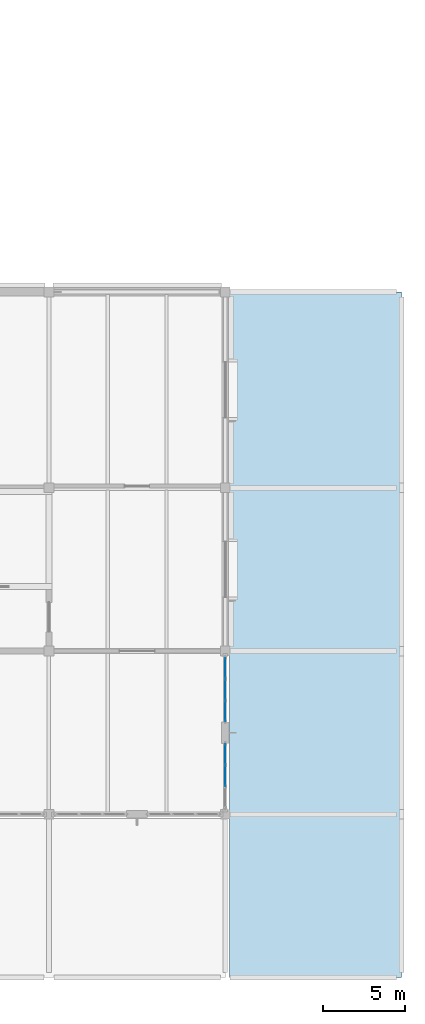
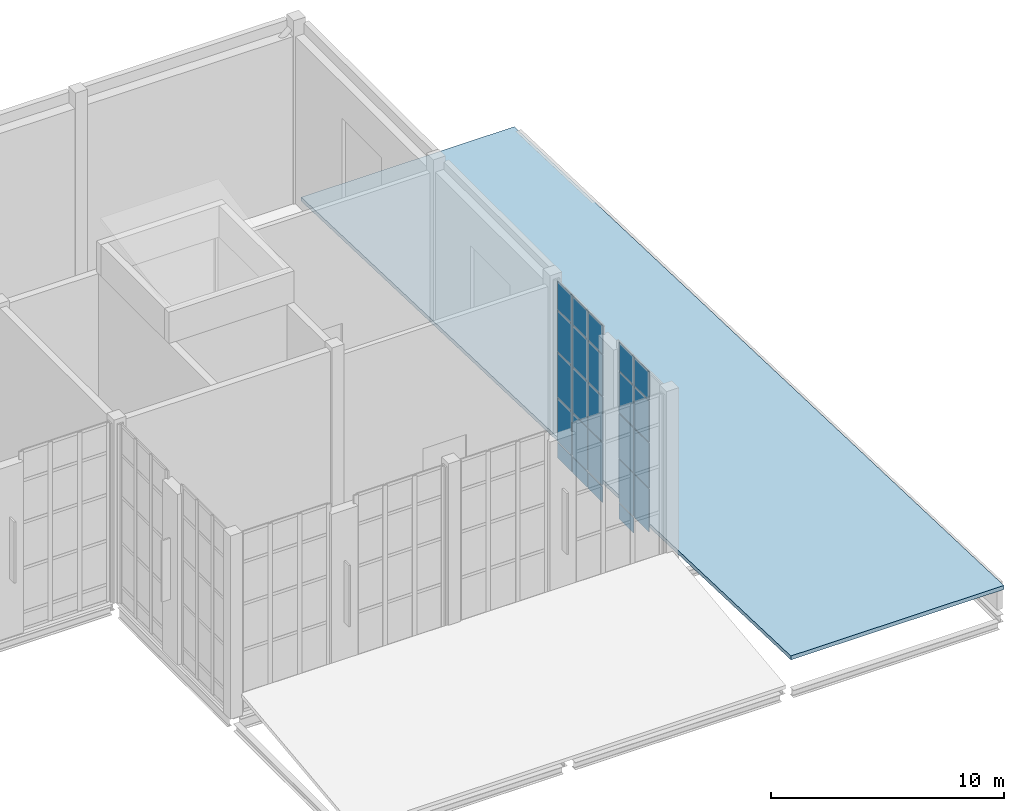
# One storey, part 73 of 100: 24 plates, 1 slab, 2 elements without a shape of their own.
"""IFC4 building model written with IfcOpenShell, lengths in metres."""

import ifcopenshell
import ifcopenshell.guid

model = None  # the IFC model being written
_history = None  # IfcOwnerHistory: only IFC2X3 demands one
_inside = {}  # id of a spatial element -> (the spatial element, [elements in it])
_under = {}  # id of a project, library or spatial element -> (it, [spatial elements below it])
_declared = {}  # id of a project -> (the project, [libraries it declares])
_typed = {}  # id of a type object -> (the type object, [elements of that type])
_made_of = {}  # id of a material, layer set ... -> (it, [elements and type objects made of it])


def new_model(schema):
    """Start an empty IFC model of exactly this schema.

    Asked for "IFC4X3", IfcOpenShell would pick the latest addendum, in which some entities
    have other attributes; the version numbers below select the first issue.
    IFC2X3 requires an IfcOwnerHistory on every rooted entity: one is made here for all.
    """
    global model, _history
    if schema == "IFC4X3":
        model = ifcopenshell.file(schema_version=(4, 3, 0, 0))
    else:
        model = ifcopenshell.file(schema=schema)
    _inside.clear()
    _under.clear()
    _declared.clear()
    _typed.clear()
    _made_of.clear()
    _history = None
    if model.schema == "IFC2X3":
        org = make("IfcOrganization", Name="unknown")
        user = make(
            "IfcPersonAndOrganization",
            ThePerson=make("IfcPerson", FamilyName="unknown"),
            TheOrganization=org,
        )
        app = make(
            "IfcApplication",
            ApplicationDeveloper=org,
            Version="unknown",
            ApplicationFullName="unknown",
            ApplicationIdentifier="unknown",
        )
        _history = make(
            "IfcOwnerHistory",
            OwningUser=user,
            OwningApplication=app,
            ChangeAction="ADDED",
            CreationDate=0,
        )
    return model


def make(cls, **values):
    """One entity of the class cls with the attributes given. An attribute that is None is left unset."""
    return model.create_entity(
        cls, **{name: value for name, value in values.items() if value is not None}
    )


def rooted(cls, **values):
    """An entity with a GlobalId (a new one), such as an element, a storey or a relation."""
    return make(cls, GlobalId=ifcopenshell.guid.new(), OwnerHistory=_history, **values)


def si_unit(unit_type, name, prefix=None):
    """IfcSIUnit, for example si_unit("LENGTHUNIT", "METRE", prefix="MILLI")."""
    return make("IfcSIUnit", UnitType=unit_type, Prefix=prefix, Name=name)


def assignment(units):
    """IfcUnitAssignment: the units of a project."""
    return None if units is None else make("IfcUnitAssignment", Units=units)


def point(xyz):
    """IfcCartesianPoint."""
    return None if xyz is None else make("IfcCartesianPoint", Coordinates=xyz)


def direction(xyz):
    """IfcDirection."""
    return None if xyz is None else make("IfcDirection", DirectionRatios=xyz)


def frame(location, z_axis=None, x_axis=None):
    """IfcAxis2Placement3D, a coordinate frame: its origin and axes. An axis left out is left unset."""
    return make(
        "IfcAxis2Placement3D",
        Location=point(location),
        Axis=direction(z_axis),
        RefDirection=direction(x_axis),
    )


def frame_2d(location, x_axis=None):
    """IfcAxis2Placement2D, a coordinate frame in the plane: its origin and x axis."""
    return make(
        "IfcAxis2Placement2D", Location=point(location), RefDirection=direction(x_axis)
    )


def origin():
    """The frame at (0, 0, 0) with its axes left unset."""
    return frame((0.0, 0.0, 0.0))


def origin_2d():
    """The frame at (0, 0) in the plane with its x axis left unset."""
    return frame_2d((0.0, 0.0))


def place(relative_to, where):
    """IfcLocalPlacement: puts the frame where relative to a parent placement (None: the world)."""
    return make(
        "IfcLocalPlacement", PlacementRelTo=relative_to, RelativePlacement=where
    )


def context(
    kind, dimensions, precision=None, world=None, true_north=None, identifier=None
):
    """IfcGeometricRepresentationContext, for example the 3D "Model" context."""
    return make(
        "IfcGeometricRepresentationContext",
        ContextIdentifier=identifier,
        ContextType=kind,
        CoordinateSpaceDimension=dimensions,
        Precision=precision,
        WorldCoordinateSystem=world,
        TrueNorth=true_north,
    )


def subcontext(parent, identifier, kind, view, scale=None):
    """IfcGeometricRepresentationSubContext, for example "Body" below "Model"."""
    return make(
        "IfcGeometricRepresentationSubContext",
        ContextIdentifier=identifier,
        ContextType=kind,
        ParentContext=parent,
        TargetScale=scale,
        TargetView=view,
    )


def project(units=None, contexts=None):
    """IfcProject with its units and contexts."""
    return rooted(
        "IfcProject",
        Name="project",
        RepresentationContexts=contexts,
        UnitsInContext=assignment(units),
    )


def spatial(cls, under=None, at=None, **own):
    """A site, building, storey or space (cls), placed at a placement, below another one or the project."""
    s = rooted(cls, ObjectPlacement=at, **own)
    if under is not None:
        _under.setdefault(under.id(), (under, []))[1].append(s)
    return s


def polyline(points):
    """IfcPolyline through the points."""
    return make("IfcPolyline", Points=[point(p) for p in points])


def profile(cls, at=None, kind="AREA", **sizes):
    """A parametric profile (cls). Its sizes go by their IFC names, for example OverallWidth=200.0."""
    return make(cls, ProfileType=kind, Position=at, **sizes)


def rectangle(**sizes):
    """IfcRectangleProfileDef."""
    return profile("IfcRectangleProfileDef", **sizes)


def outline(outer, holes=None, kind="AREA"):
    """IfcArbitraryClosedProfileDef: a profile drawn as a closed curve; with holes, ...WithVoids."""
    if holes is None:
        return make("IfcArbitraryClosedProfileDef", ProfileType=kind, OuterCurve=outer)
    return make(
        "IfcArbitraryProfileDefWithVoids",
        ProfileType=kind,
        OuterCurve=outer,
        InnerCurves=holes,
    )


def extrude(swept, where, along, depth):
    """IfcExtrudedAreaSolid: the profile swept, set in the frame where, extruded along a direction by depth."""
    return make(
        "IfcExtrudedAreaSolid",
        SweptArea=swept,
        Position=where,
        ExtrudedDirection=direction(along),
        Depth=depth,
    )


def shape(context_of_items, identifier, shape_type, items):
    """IfcShapeRepresentation: the items that make up one representation, for example the "Body"."""
    return make(
        "IfcShapeRepresentation",
        ContextOfItems=context_of_items,
        RepresentationIdentifier=identifier,
        RepresentationType=shape_type,
        Items=items,
    )


def material(Name=None, Category=None):
    """IfcMaterial."""
    return make("IfcMaterial", Name=Name, Category=Category)


def layer(
    of_material, thickness, ventilated=None, Name=None, Category=None, Priority=None
):
    """IfcMaterialLayer: one layer of a wall or slab, of a material (None: an air gap)."""
    return make(
        "IfcMaterialLayer",
        Material=of_material,
        LayerThickness=thickness,
        IsVentilated=ventilated,
        Name=Name,
        Category=Category,
        Priority=Priority,
    )


def layer_set(layers, Name=None):
    """IfcMaterialLayerSet."""
    return make("IfcMaterialLayerSet", MaterialLayers=layers, LayerSetName=Name)


def made_of(thing, what):
    """Note that an element or type object is made of a material, layer set ...; save() writes the relation."""
    if what is not None:
        _made_of.setdefault(what.id(), (what, []))[1].append(thing)
    return thing


def type_object(cls, material=None, **own):
    """A type object (cls), such as IfcWallType, which elements share."""
    return made_of(rooted(cls, **own), material)


def element(
    cls,
    number,
    at=None,
    inside=None,
    cuts=None,
    type_object=None,
    material=None,
    context=None,
    identifier="Body",
    shape_type=None,
    held_by="IfcProductDefinitionShape",
    body=None,
    shapes=None,
    **own,
):
    """One element of the class cls, such as IfcWall. Its Tag is "e" and its number.

    at: its placement. inside: the storey or other place that contains it. cuts: it is an
    opening in that element (IfcRelVoidsElement). A single representation is given by context,
    identifier, shape_type and body (its items); several are given by shapes. held_by: the class
    of the entity that holds the representations. save() writes the other relations.
    """
    e = rooted(cls, Tag="e%d" % number, ObjectPlacement=at, **own)
    if body is not None:
        shapes = [shape(context, identifier, shape_type, body)]
    if shapes is not None:
        e.Representation = make(held_by, Representations=shapes)
    if inside is not None:
        _inside.setdefault(inside.id(), (inside, []))[1].append(e)
    if cuts is not None:
        rooted(
            "IfcRelVoidsElement", RelatingBuildingElement=cuts, RelatedOpeningElement=e
        )
    if type_object is not None:
        _typed.setdefault(type_object.id(), (type_object, []))[1].append(e)
    return made_of(e, material)


def aggregate(whole, parts):
    """IfcRelAggregates: a whole, such as a stair, and the parts it consists of."""
    return rooted("IfcRelAggregates", RelatingObject=whole, RelatedObjects=parts)


def save(model, path):
    """Write the relations noted so far, then the file.

    IfcRelAggregates (storeys below a building ...), IfcRelContainedInSpatialStructure (elements
    in a storey), IfcRelDefinesByType, IfcRelAssociatesMaterial and IfcRelDeclares: one each for
    every whole, place, type object, material and project.
    """
    for whole, parts in _under.values():
        aggregate(whole, parts)
    for where, things in _inside.values():
        rooted(
            "IfcRelContainedInSpatialStructure",
            RelatedElements=things,
            RelatingStructure=where,
        )
    for kind, things in _typed.values():
        rooted("IfcRelDefinesByType", RelatedObjects=things, RelatingType=kind)
    for what, things in _made_of.values():
        rooted("IfcRelAssociatesMaterial", RelatedObjects=things, RelatingMaterial=what)
    for by, libraries in _declared.values():
        rooted("IfcRelDeclares", RelatingContext=by, RelatedDefinitions=libraries)
    model.write(path)


model = new_model("IFC4")

# Units and contexts
model_context = context("Model", 3, precision=1e-05, world=origin(), true_north=direction((0.0, 1.0)))
body_context = subcontext(model_context, "Body", "Model", "MODEL_VIEW")
ifc_project = project(units=[si_unit("LENGTHUNIT", "METRE"), si_unit("AREAUNIT", "SQUARE_METRE"), si_unit("VOLUMEUNIT", "CUBIC_METRE"), si_unit("PLANEANGLEUNIT", "RADIAN"), si_unit("MASSUNIT", "GRAM", prefix="KILO")], contexts=[model_context])

# Site, building, storey
site_placement = place(None, origin())
site = spatial("IfcSite", under=ifc_project, at=site_placement, CompositionType="ELEMENT")
building_placement = place(site_placement, origin())
building = spatial("IfcBuilding", under=site, at=building_placement, Name="Tasgan Crest Museum", CompositionType="ELEMENT")
storey_placement = place(building_placement, frame((0.0, 0.0, 14.39990234375)))
storey = spatial("IfcBuildingStorey", under=building, at=storey_placement, Name="L03", CompositionType="ELEMENT", Elevation=14.39990234375)

# Curtain wall, plate
ifc_material_1 = material(Name="Triple-Glazed Aluminium Curtain Wall", Category="aluminium")
ifc_layer_1 = layer(ifc_material_1, 0.179931640625, Name="CW-GAL-Y-96")
ifc_layer_set_1 = layer_set([ifc_layer_1], Name="Triple-Glazed Aluminium Curtain Wall")
curtain_wall_type = type_object("IfcCurtainWallType", Name="CW-GAL-Y-96", PredefinedType="NOTDEFINED", material=ifc_layer_set_1)
curtain_wall_1_placement = place(storey_placement, origin())
curtain_wall_1 = element("IfcCurtainWall", 1, at=curtain_wall_1_placement, inside=storey, type_object=curtain_wall_type, Name="Curtain wall L03 117", PredefinedType="NOTDEFINED")
ifc_material_2 = material(Name="Insulated Spandrel Glass", Category="glass")
ifc_layer_2 = layer(ifc_material_2, 0.052001953125, Name="CW-PANEL-SPANDREL")
ifc_layer_set_2 = layer_set([ifc_layer_2], Name="Insulated Spandrel Glass")
plate_type_1 = type_object("IfcPlateType", Name="CW-PANEL-SPANDREL", PredefinedType="CURTAIN_PANEL", material=ifc_layer_set_2)
plate_1_placement = place(storey_placement, frame((129.60009765625, 33.675048828125, 0.06005859375), z_axis=(0.0, 0.0, 1.0), x_axis=(0.0, 1.0, 0.0)))
plate_1 = element("IfcPlate", 2, at=plate_1_placement, type_object=plate_type_1, Name="CW17 panel 3.1", PredefinedType="CURTAIN_PANEL", context=body_context, shape_type="SweptSolid", body=[
    extrude(rectangle(XDim=1.239990234375, YDim=0.028076171875, at=origin_2d()), origin(), (0.0, 0.0, 1.0), 0.81005859375),
])

# Curtain wall, plates
curtain_wall_2_placement = place(storey_placement, origin())
curtain_wall_2 = element("IfcCurtainWall", 3, at=curtain_wall_2_placement, inside=storey, type_object=curtain_wall_type, Name="Curtain wall L03 118", PredefinedType="NOTDEFINED")
plate_2_placement = place(storey_placement, frame((129.60009765625, 36.324951171875, 0.06005859375), z_axis=(0.0, 0.0, 1.0), x_axis=(0.0, 1.0, 0.0)))
plate_2 = element("IfcPlate", 4, at=plate_2_placement, type_object=plate_type_1, Name="CW17 panel 1.1", PredefinedType="CURTAIN_PANEL", context=body_context, shape_type="SweptSolid", body=[
    extrude(rectangle(XDim=1.239990234375, YDim=0.028076171875, at=origin_2d()), origin(), (0.0, 0.0, 1.0), 0.81005859375),
])
plate_3_placement = place(storey_placement, frame((129.60009765625, 37.639892578125, 0.06005859375), z_axis=(0.0, 0.0, 1.0), x_axis=(0.0, 1.0, 0.0)))
plate_3 = element("IfcPlate", 5, at=plate_3_placement, type_object=plate_type_1, Name="CW17 panel 2.1", PredefinedType="CURTAIN_PANEL", context=body_context, shape_type="SweptSolid", body=[
    extrude(rectangle(XDim=1.27001953125, YDim=0.028076171875, at=origin_2d()), origin(), (0.0, 0.0, 1.0), 0.81005859375),
])
plate_4_placement = place(storey_placement, frame((129.60009765625, 38.955078125, 0.06005859375), z_axis=(0.0, 0.0, 1.0), x_axis=(0.0, 1.0, 0.0)))
plate_4 = element("IfcPlate", 6, at=plate_4_placement, type_object=plate_type_1, Name="CW17 panel 3.1", PredefinedType="CURTAIN_PANEL", context=body_context, shape_type="SweptSolid", body=[
    extrude(rectangle(XDim=1.239990234375, YDim=0.028076171875, at=origin_2d()), origin(), (0.0, 0.0, 1.0), 0.81005859375),
])

# Plate
ifc_material_3 = material(Name="Low-E Triple Glazing", Category="glass")
ifc_layer_3 = layer(ifc_material_3, 0.0439453125, Name="CW-PANEL-TRIPLE")
ifc_layer_set_3 = layer_set([ifc_layer_3], Name="Low-E Triple Glazing")
plate_type_2 = type_object("IfcPlateType", Name="CW-PANEL-TRIPLE", PredefinedType="CURTAIN_PANEL", material=ifc_layer_set_3)
plate_5_placement = place(storey_placement, frame((129.60009765625, 32.360107421875, 0.93017578125), z_axis=(0.0, 0.0, 1.0), x_axis=(0.0, 1.0, 0.0)))
plate_5 = element("IfcPlate", 7, at=plate_5_placement, type_object=plate_type_2, Name="CW17 panel 2.2", PredefinedType="CURTAIN_PANEL", context=body_context, shape_type="SweptSolid", body=[
    extrude(rectangle(XDim=1.27001953125, YDim=0.028076171875, at=origin_2d()), origin(), (0.0, 0.0, 1.0), 2.239990234375),
])

plate_6_placement = place(storey_placement, frame((129.60009765625, 32.360107421875, 3.22998046875), z_axis=(0.0, 0.0, 1.0), x_axis=(0.0, 1.0, 0.0)))
plate_6 = element("IfcPlate", 8, at=plate_6_placement, type_object=plate_type_2, Name="CW17 panel 2.3", PredefinedType="CURTAIN_PANEL", context=body_context, shape_type="SweptSolid", body=[
    extrude(rectangle(XDim=1.27001953125, YDim=0.028076171875, at=origin_2d()), origin(), (0.0, 0.0, 1.0), 2.340087890625),
])

plate_7_placement = place(storey_placement, frame((129.60009765625, 32.360107421875, 5.63037109375), z_axis=(0.0, 0.0, 1.0), x_axis=(0.0, 1.0, 0.0)))
plate_7 = element("IfcPlate", 9, at=plate_7_placement, type_object=plate_type_2, Name="CW17 panel 2.4", PredefinedType="CURTAIN_PANEL", context=body_context, shape_type="SweptSolid", body=[
    extrude(rectangle(XDim=1.27001953125, YDim=0.028076171875, at=origin_2d()), origin(), (0.0, 0.0, 1.0), 2.139892578125),
])

plate_8_placement = place(storey_placement, frame((129.60009765625, 32.360107421875, 7.830078125), z_axis=(0.0, 0.0, 1.0), x_axis=(0.0, 1.0, 0.0)))
plate_8 = element("IfcPlate", 10, at=plate_8_placement, type_object=plate_type_2, Name="CW17 panel 2.5", PredefinedType="CURTAIN_PANEL", context=body_context, shape_type="SweptSolid", body=[
    extrude(rectangle(XDim=1.27001953125, YDim=0.028076171875, at=origin_2d()), origin(), (0.0, 0.0, 1.0), 1.469970703125),
])

plate_9_placement = place(storey_placement, frame((129.60009765625, 33.675048828125, 0.93017578125), z_axis=(0.0, 0.0, 1.0), x_axis=(0.0, 1.0, 0.0)))
plate_9 = element("IfcPlate", 11, at=plate_9_placement, type_object=plate_type_2, Name="CW17 panel 3.2", PredefinedType="CURTAIN_PANEL", context=body_context, shape_type="SweptSolid", body=[
    extrude(rectangle(XDim=1.239990234375, YDim=0.028076171875, at=origin_2d()), origin(), (0.0, 0.0, 1.0), 2.239990234375),
])

plate_10_placement = place(storey_placement, frame((129.60009765625, 33.675048828125, 3.22998046875), z_axis=(0.0, 0.0, 1.0), x_axis=(0.0, 1.0, 0.0)))
plate_10 = element("IfcPlate", 12, at=plate_10_placement, type_object=plate_type_2, Name="CW17 panel 3.3", PredefinedType="CURTAIN_PANEL", context=body_context, shape_type="SweptSolid", body=[
    extrude(rectangle(XDim=1.239990234375, YDim=0.028076171875, at=origin_2d()), origin(), (0.0, 0.0, 1.0), 2.340087890625),
])

plate_11_placement = place(storey_placement, frame((129.60009765625, 33.675048828125, 5.63037109375), z_axis=(0.0, 0.0, 1.0), x_axis=(0.0, 1.0, 0.0)))
plate_11 = element("IfcPlate", 13, at=plate_11_placement, type_object=plate_type_2, Name="CW17 panel 3.4", PredefinedType="CURTAIN_PANEL", context=body_context, shape_type="SweptSolid", body=[
    extrude(rectangle(XDim=1.239990234375, YDim=0.028076171875, at=origin_2d()), origin(), (0.0, 0.0, 1.0), 2.139892578125),
])

plate_12_placement = place(storey_placement, frame((129.60009765625, 33.675048828125, 7.830078125), z_axis=(0.0, 0.0, 1.0), x_axis=(0.0, 1.0, 0.0)))
plate_12 = element("IfcPlate", 14, at=plate_12_placement, type_object=plate_type_2, Name="CW17 panel 3.5", PredefinedType="CURTAIN_PANEL", context=body_context, shape_type="SweptSolid", body=[
    extrude(rectangle(XDim=1.239990234375, YDim=0.028076171875, at=origin_2d()), origin(), (0.0, 0.0, 1.0), 1.469970703125),
])

aggregate(curtain_wall_1, [plate_5, plate_6, plate_7, plate_8, plate_1, plate_9, plate_10, plate_11, plate_12])

plate_13_placement = place(storey_placement, frame((129.60009765625, 36.324951171875, 0.93017578125), z_axis=(0.0, 0.0, 1.0), x_axis=(0.0, 1.0, 0.0)))
plate_13 = element("IfcPlate", 15, at=plate_13_placement, type_object=plate_type_2, Name="CW17 panel 1.2", PredefinedType="CURTAIN_PANEL", context=body_context, shape_type="SweptSolid", body=[
    extrude(rectangle(XDim=1.239990234375, YDim=0.028076171875, at=origin_2d()), origin(), (0.0, 0.0, 1.0), 2.239990234375),
])

plate_14_placement = place(storey_placement, frame((129.60009765625, 36.324951171875, 3.22998046875), z_axis=(0.0, 0.0, 1.0), x_axis=(0.0, 1.0, 0.0)))
plate_14 = element("IfcPlate", 16, at=plate_14_placement, type_object=plate_type_2, Name="CW17 panel 1.3", PredefinedType="CURTAIN_PANEL", context=body_context, shape_type="SweptSolid", body=[
    extrude(rectangle(XDim=1.239990234375, YDim=0.028076171875, at=origin_2d()), origin(), (0.0, 0.0, 1.0), 2.340087890625),
])

plate_15_placement = place(storey_placement, frame((129.60009765625, 36.324951171875, 5.63037109375), z_axis=(0.0, 0.0, 1.0), x_axis=(0.0, 1.0, 0.0)))
plate_15 = element("IfcPlate", 17, at=plate_15_placement, type_object=plate_type_2, Name="CW17 panel 1.4", PredefinedType="CURTAIN_PANEL", context=body_context, shape_type="SweptSolid", body=[
    extrude(rectangle(XDim=1.239990234375, YDim=0.028076171875, at=origin_2d()), origin(), (0.0, 0.0, 1.0), 2.139892578125),
])

plate_16_placement = place(storey_placement, frame((129.60009765625, 36.324951171875, 7.830078125), z_axis=(0.0, 0.0, 1.0), x_axis=(0.0, 1.0, 0.0)))
plate_16 = element("IfcPlate", 18, at=plate_16_placement, type_object=plate_type_2, Name="CW17 panel 1.5", PredefinedType="CURTAIN_PANEL", context=body_context, shape_type="SweptSolid", body=[
    extrude(rectangle(XDim=1.239990234375, YDim=0.028076171875, at=origin_2d()), origin(), (0.0, 0.0, 1.0), 1.469970703125),
])

plate_17_placement = place(storey_placement, frame((129.60009765625, 37.639892578125, 0.93017578125), z_axis=(0.0, 0.0, 1.0), x_axis=(0.0, 1.0, 0.0)))
plate_17 = element("IfcPlate", 19, at=plate_17_placement, type_object=plate_type_2, Name="CW17 panel 2.2", PredefinedType="CURTAIN_PANEL", context=body_context, shape_type="SweptSolid", body=[
    extrude(rectangle(XDim=1.27001953125, YDim=0.028076171875, at=origin_2d()), origin(), (0.0, 0.0, 1.0), 2.239990234375),
])

plate_18_placement = place(storey_placement, frame((129.60009765625, 37.639892578125, 3.22998046875), z_axis=(0.0, 0.0, 1.0), x_axis=(0.0, 1.0, 0.0)))
plate_18 = element("IfcPlate", 20, at=plate_18_placement, type_object=plate_type_2, Name="CW17 panel 2.3", PredefinedType="CURTAIN_PANEL", context=body_context, shape_type="SweptSolid", body=[
    extrude(rectangle(XDim=1.27001953125, YDim=0.028076171875, at=origin_2d()), origin(), (0.0, 0.0, 1.0), 2.340087890625),
])

plate_19_placement = place(storey_placement, frame((129.60009765625, 37.639892578125, 5.63037109375), z_axis=(0.0, 0.0, 1.0), x_axis=(0.0, 1.0, 0.0)))
plate_19 = element("IfcPlate", 21, at=plate_19_placement, type_object=plate_type_2, Name="CW17 panel 2.4", PredefinedType="CURTAIN_PANEL", context=body_context, shape_type="SweptSolid", body=[
    extrude(rectangle(XDim=1.27001953125, YDim=0.028076171875, at=origin_2d()), origin(), (0.0, 0.0, 1.0), 2.139892578125),
])

plate_20_placement = place(storey_placement, frame((129.60009765625, 37.639892578125, 7.830078125), z_axis=(0.0, 0.0, 1.0), x_axis=(0.0, 1.0, 0.0)))
plate_20 = element("IfcPlate", 22, at=plate_20_placement, type_object=plate_type_2, Name="CW17 panel 2.5", PredefinedType="CURTAIN_PANEL", context=body_context, shape_type="SweptSolid", body=[
    extrude(rectangle(XDim=1.27001953125, YDim=0.028076171875, at=origin_2d()), origin(), (0.0, 0.0, 1.0), 1.469970703125),
])

plate_21_placement = place(storey_placement, frame((129.60009765625, 38.955078125, 0.93017578125), z_axis=(0.0, 0.0, 1.0), x_axis=(0.0, 1.0, 0.0)))
plate_21 = element("IfcPlate", 23, at=plate_21_placement, type_object=plate_type_2, Name="CW17 panel 3.2", PredefinedType="CURTAIN_PANEL", context=body_context, shape_type="SweptSolid", body=[
    extrude(rectangle(XDim=1.239990234375, YDim=0.028076171875, at=origin_2d()), origin(), (0.0, 0.0, 1.0), 2.239990234375),
])

plate_22_placement = place(storey_placement, frame((129.60009765625, 38.955078125, 3.22998046875), z_axis=(0.0, 0.0, 1.0), x_axis=(0.0, 1.0, 0.0)))
plate_22 = element("IfcPlate", 24, at=plate_22_placement, type_object=plate_type_2, Name="CW17 panel 3.3", PredefinedType="CURTAIN_PANEL", context=body_context, shape_type="SweptSolid", body=[
    extrude(rectangle(XDim=1.239990234375, YDim=0.028076171875, at=origin_2d()), origin(), (0.0, 0.0, 1.0), 2.340087890625),
])

plate_23_placement = place(storey_placement, frame((129.60009765625, 38.955078125, 5.63037109375), z_axis=(0.0, 0.0, 1.0), x_axis=(0.0, 1.0, 0.0)))
plate_23 = element("IfcPlate", 25, at=plate_23_placement, type_object=plate_type_2, Name="CW17 panel 3.4", PredefinedType="CURTAIN_PANEL", context=body_context, shape_type="SweptSolid", body=[
    extrude(rectangle(XDim=1.239990234375, YDim=0.028076171875, at=origin_2d()), origin(), (0.0, 0.0, 1.0), 2.139892578125),
])

plate_24_placement = place(storey_placement, frame((129.60009765625, 38.955078125, 7.830078125), z_axis=(0.0, 0.0, 1.0), x_axis=(0.0, 1.0, 0.0)))
plate_24 = element("IfcPlate", 26, at=plate_24_placement, type_object=plate_type_2, Name="CW17 panel 3.5", PredefinedType="CURTAIN_PANEL", context=body_context, shape_type="SweptSolid", body=[
    extrude(rectangle(XDim=1.239990234375, YDim=0.028076171875, at=origin_2d()), origin(), (0.0, 0.0, 1.0), 1.469970703125),
])

aggregate(curtain_wall_2, [plate_2, plate_13, plate_14, plate_15, plate_16, plate_3, plate_17, plate_18, plate_19, plate_20, plate_4, plate_21, plate_22, plate_23, plate_24])

# Slab
ifc_material_4 = material(Name="Concrete C35/45", Category="concrete")
ifc_layer_4 = layer(ifc_material_4, 0.199951171875, Name="SL-ROOF-200")
ifc_layer_set_4 = layer_set([ifc_layer_4], Name="Concrete C35/45")
slab_type = type_object("IfcSlabType", Name="SL-ROOF-200", PredefinedType="ROOF", material=ifc_layer_set_4)
slab_placement = place(storey_placement, frame((129.85009765625, 20.0, 1.4501953125), z_axis=(0.0, 0.034507895541, 0.999404425218), x_axis=(1.0, 0.0, 0.0)))
element("IfcSlab", 27, at=slab_placement, inside=storey, type_object=slab_type, Name="East archive mid step roof", PredefinedType="ROOF", context=body_context, shape_type="SweptSolid", body=[
    extrude(outline(polyline([(0.0, 0.0), (10.5498046875, 0.0), (10.5498046875, 42.02502904751402), (0.0, 42.02502904751402), (0.0, 0.0)])), origin(), (0.0, 0.0, -1.0), 0.199951171875),
])

save(model, "model.ifc")
